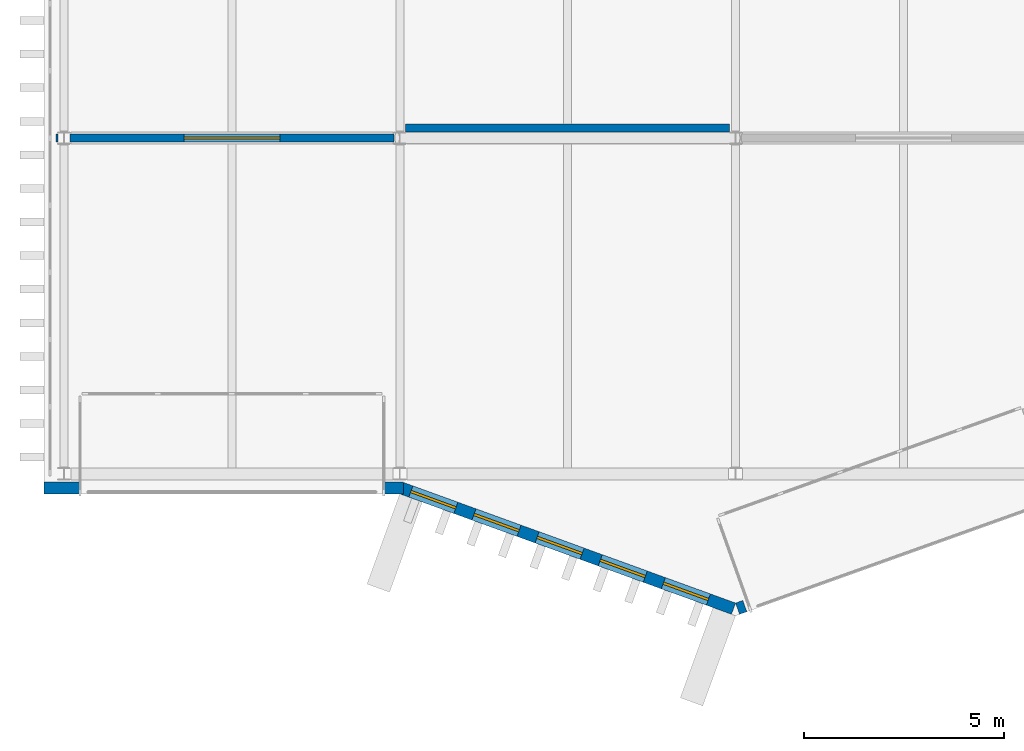
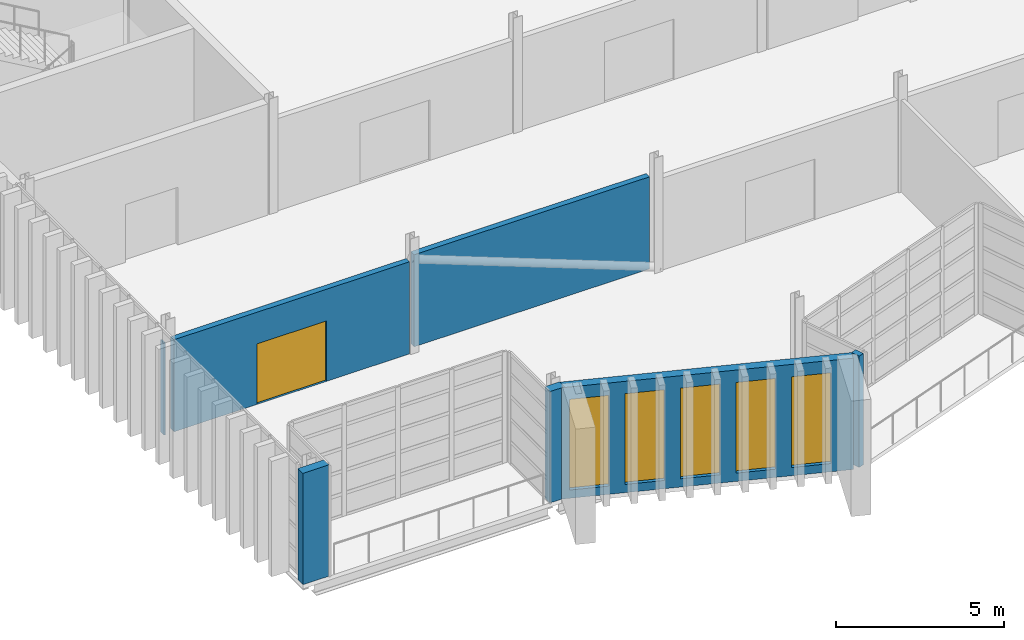
# One storey, part 58 of 100: 7 walls, 5 windows, 1 door, 6 openings.
"""IFC4 building model written with IfcOpenShell, lengths in metres."""

from ifc_helpers import new_model, si_unit, direction, frame, frame_2d, origin, place, context, subcontext, project, spatial, rectangle, extrude, material, layer, layer_set, type_object, element, fill, save


model = new_model("IFC4")

# Units and contexts
model_context = context("Model", 3, precision=1e-05, world=origin(), true_north=direction((0.0, 1.0)))
body_context = subcontext(model_context, "Body", "Model", "MODEL_VIEW")
ifc_project = project(units=[si_unit("LENGTHUNIT", "METRE"), si_unit("AREAUNIT", "SQUARE_METRE"), si_unit("VOLUMEUNIT", "CUBIC_METRE"), si_unit("PLANEANGLEUNIT", "RADIAN"), si_unit("MASSUNIT", "GRAM", prefix="KILO")], contexts=[model_context])

# Site, building, storey
site_placement = place(None, origin())
site = spatial("IfcSite", under=ifc_project, at=site_placement, CompositionType="ELEMENT")
building_placement = place(site_placement, origin())
building = spatial("IfcBuilding", under=site, at=building_placement, Name="Cresset Court Congress Hotel", CompositionType="ELEMENT")
storey_placement = place(building_placement, frame((0.0, 0.0, 10.199951171875)))
storey = spatial("IfcBuildingStorey", under=building, at=storey_placement, Name="L02", CompositionType="ELEMENT", Elevation=10.199951171875)

# Walls
ifc_material_1 = material(Name="Concrete C40", Category="concrete")
ifc_layer_1 = layer(ifc_material_1, 0.300048828125)
ifc_layer_set_1 = layer_set([ifc_layer_1], Name="External wall 300 Concrete C40")
wall_type_1 = type_object("IfcWallType", Name="External wall 300 Concrete C40", PredefinedType="SOLIDWALL", material=ifc_layer_set_1)
wall_1_placement = place(storey_placement, frame((7.89990234375, -0.35009765625, 0.0), z_axis=(0.0, 0.0, 1.0), x_axis=(1.0, 0.0, 0.0)))
element("IfcWall", 1, at=wall_1_placement, inside=storey, type_object=wall_type_1, Name="External wall", PredefinedType="SOLIDWALL", context=body_context, shape_type="SweptSolid", body=[
    extrude(rectangle(XDim=0.900146484375, YDim=0.300048828125, at=frame_2d((0.4501953125, 0.0))), origin(), (0.0, 0.0, 1.0), 4.050048828125),
])
wall_2_placement = place(storey_placement, frame((16.39990234375, -0.35009765625, 0.0), z_axis=(0.0, 0.0, 1.0), x_axis=(1.0, 0.0, 0.0)))
element("IfcWall", 2, at=wall_2_placement, inside=storey, type_object=wall_type_1, Name="External wall", PredefinedType="SOLIDWALL", context=body_context, shape_type="SweptSolid", body=[
    extrude(rectangle(XDim=0.5, YDim=0.300048828125, at=frame_2d((0.25, 0.0))), origin(), (0.0, 0.0, 1.0), 4.050048828125),
])

# Wall, openings, windows
wall_3_placement = place(storey_placement, frame((16.851318359375, -0.35888671875, 0.0), z_axis=(0.0, 0.0, 1.0), x_axis=(0.939953187971, -0.341303390584, 0.0)))
wall_3 = element("IfcWall", 3, at=wall_3_placement, inside=storey, type_object=wall_type_1, Name="External wall", PredefinedType="SOLIDWALL", context=body_context, shape_type="SweptSolid", body=[
    extrude(rectangle(XDim=8.828369140625, YDim=0.300048828125, at=frame_2d((4.4140625, 0.0))), origin(), (0.0, 0.0, 1.0), 4.050048828125),
])
opening_1_placement = place(wall_3_placement, frame((0.239990234375, 0.0, 0.300048828125)))
opening_1 = element("IfcOpeningElement", 4, at=opening_1_placement, cuts=wall_3, Name="Opening NB-02-14", PredefinedType="OPENING", context=body_context, shape_type="SweptSolid", body=[
    extrude(rectangle(XDim=1.199951171875, YDim=3.300048828125, at=frame_2d((0.60009765625, 1.64990234375))), frame((0.0, 0.159912109375, 0.0), z_axis=(0.0, -1.0, 0.0), x_axis=(1.0, 0.0, 0.0)), (0.0, 0.0, 1.0), 0.320068359375),
])
opening_2_placement = place(wall_3_placement, frame((1.919921875, 0.0, 0.300048828125)))
opening_2 = element("IfcOpeningElement", 5, at=opening_2_placement, cuts=wall_3, Name="Opening NB-02-15", PredefinedType="OPENING", context=body_context, shape_type="SweptSolid", body=[
    extrude(rectangle(XDim=1.199951171875, YDim=3.300048828125, at=frame_2d((0.60009765625, 1.64990234375))), frame((0.0, 0.159912109375, 0.0), z_axis=(0.0, -1.0, 0.0), x_axis=(1.0, 0.0, 0.0)), (0.0, 0.0, 1.0), 0.320068359375),
])
opening_3_placement = place(wall_3_placement, frame((3.60009765625, 0.0, 0.300048828125)))
opening_3 = element("IfcOpeningElement", 6, at=opening_3_placement, cuts=wall_3, Name="Opening NB-02-16", PredefinedType="OPENING", context=body_context, shape_type="SweptSolid", body=[
    extrude(rectangle(XDim=1.199951171875, YDim=3.300048828125, at=frame_2d((0.60009765625, 1.64990234375))), frame((0.0, 0.159912109375, 0.0), z_axis=(0.0, -1.0, 0.0), x_axis=(1.0, 0.0, 0.0)), (0.0, 0.0, 1.0), 0.320068359375),
])
opening_4_placement = place(wall_3_placement, frame((5.280029296875, 0.0, 0.300048828125)))
opening_4 = element("IfcOpeningElement", 7, at=opening_4_placement, cuts=wall_3, Name="Opening NB-02-17", PredefinedType="OPENING", context=body_context, shape_type="SweptSolid", body=[
    extrude(rectangle(XDim=1.199951171875, YDim=3.300048828125, at=frame_2d((0.60009765625, 1.64990234375))), frame((0.0, 0.159912109375, 0.0), z_axis=(0.0, -1.0, 0.0), x_axis=(1.0, 0.0, 0.0)), (0.0, 0.0, 1.0), 0.320068359375),
])
opening_5_placement = place(wall_3_placement, frame((6.9599609375, 0.0, 0.300048828125)))
opening_5 = element("IfcOpeningElement", 8, at=opening_5_placement, cuts=wall_3, Name="Opening NB-02-18", PredefinedType="OPENING", context=body_context, shape_type="SweptSolid", body=[
    extrude(rectangle(XDim=1.199951171875, YDim=3.300048828125, at=frame_2d((0.60009765625, 1.64990234375))), frame((0.0, 0.159912109375, 0.0), z_axis=(0.0, -1.0, 0.0), x_axis=(1.0, 0.0, 0.0)), (0.0, 0.0, 1.0), 0.320068359375),
])
ifc_material_2 = material(Name="Aluminium frame with double glazing", Category="aluminium")
window_type = type_object("IfcWindowType", Name="Window 1200x3300", PartitioningType="TRIPLE_PANEL_VERTICAL", PredefinedType="WINDOW", material=ifc_material_2)
window_1_placement = place(opening_1_placement, origin())
window_1 = element("IfcWindow", 9, at=window_1_placement, inside=storey, type_object=window_type, Name="Window NB-02-14", OverallHeight=3.300048828125, OverallWidth=1.199951171875, PartitioningType="TRIPLE_PANEL_VERTICAL", PredefinedType="WINDOW", context=body_context, shape_type="SweptSolid", body=[
    extrude(rectangle(XDim=1.199951171875, YDim=3.300048828125, at=frame_2d((0.60009765625, 1.64990234375))), frame((0.0, 0.030029296875, 0.0), z_axis=(0.0, -1.0, 0.0), x_axis=(1.0, 0.0, 0.0)), (0.0, 0.0, 1.0), 0.06005859375),
])
fill(opening_1, window_1)
window_2_placement = place(opening_2_placement, origin())
window_2 = element("IfcWindow", 10, at=window_2_placement, inside=storey, type_object=window_type, Name="Window NB-02-15", OverallHeight=3.300048828125, OverallWidth=1.199951171875, PartitioningType="TRIPLE_PANEL_VERTICAL", PredefinedType="WINDOW", context=body_context, shape_type="SweptSolid", body=[
    extrude(rectangle(XDim=1.199951171875, YDim=3.300048828125, at=frame_2d((0.60009765625, 1.64990234375))), frame((0.0, 0.030029296875, 0.0), z_axis=(0.0, -1.0, 0.0), x_axis=(1.0, 0.0, 0.0)), (0.0, 0.0, 1.0), 0.06005859375),
])
fill(opening_2, window_2)
window_3_placement = place(opening_3_placement, origin())
window_3 = element("IfcWindow", 11, at=window_3_placement, inside=storey, type_object=window_type, Name="Window NB-02-16", OverallHeight=3.300048828125, OverallWidth=1.199951171875, PartitioningType="TRIPLE_PANEL_VERTICAL", PredefinedType="WINDOW", context=body_context, shape_type="SweptSolid", body=[
    extrude(rectangle(XDim=1.199951171875, YDim=3.300048828125, at=frame_2d((0.60009765625, 1.64990234375))), frame((0.0, 0.030029296875, 0.0), z_axis=(0.0, -1.0, 0.0), x_axis=(1.0, 0.0, 0.0)), (0.0, 0.0, 1.0), 0.06005859375),
])
fill(opening_3, window_3)
window_4_placement = place(opening_4_placement, origin())
window_4 = element("IfcWindow", 12, at=window_4_placement, inside=storey, type_object=window_type, Name="Window NB-02-17", OverallHeight=3.300048828125, OverallWidth=1.199951171875, PartitioningType="TRIPLE_PANEL_VERTICAL", PredefinedType="WINDOW", context=body_context, shape_type="SweptSolid", body=[
    extrude(rectangle(XDim=1.199951171875, YDim=3.300048828125, at=frame_2d((0.60009765625, 1.64990234375))), frame((0.0, 0.030029296875, 0.0), z_axis=(0.0, -1.0, 0.0), x_axis=(1.0, 0.0, 0.0)), (0.0, 0.0, 1.0), 0.06005859375),
])
fill(opening_4, window_4)
window_5_placement = place(opening_5_placement, origin())
window_5 = element("IfcWindow", 13, at=window_5_placement, inside=storey, type_object=window_type, Name="Window NB-02-18", OverallHeight=3.300048828125, OverallWidth=1.199951171875, PartitioningType="TRIPLE_PANEL_VERTICAL", PredefinedType="WINDOW", context=body_context, shape_type="SweptSolid", body=[
    extrude(rectangle(XDim=1.199951171875, YDim=3.300048828125, at=frame_2d((0.60009765625, 1.64990234375))), frame((0.0, 0.030029296875, 0.0), z_axis=(0.0, -1.0, 0.0), x_axis=(1.0, 0.0, 0.0)), (0.0, 0.0, 1.0), 0.06005859375),
])
fill(opening_5, window_5)

# Walls
wall_4_placement = place(storey_placement, frame((25.251220703125, -3.372314453125, 0.0), z_axis=(0.0, 0.0, 1.0), x_axis=(0.942000485661, 0.335611509061, 0.0)))
element("IfcWall", 14, at=wall_4_placement, inside=storey, type_object=wall_type_1, Name="External wall", PredefinedType="SOLIDWALL", context=body_context, shape_type="SweptSolid", body=[
    extrude(rectangle(XDim=0.192138671875, YDim=0.300048828125, at=frame_2d((0.09619140625, 0.0))), origin(), (0.0, 0.0, 1.0), 4.050048828125),
])
ifc_material_3 = material(Name="Gypsum board on steel studs", Category="steel")
ifc_layer_2 = layer(ifc_material_3, 0.199951171875)
ifc_layer_set_2 = layer_set([ifc_layer_2], Name="Foyer wall 200")
wall_type_2 = type_object("IfcWallType", Name="Foyer wall 200", PredefinedType="PARTITIONING", material=ifc_layer_set_2)
wall_5_placement = place(storey_placement, frame((8.199951171875, 8.39990234375, 0.0), z_axis=(0.0, 0.0, 1.0), x_axis=(1.0, 0.0, 0.0)))
element("IfcWall", 15, at=wall_5_placement, inside=storey, type_object=wall_type_2, Name="Foyer wall", PredefinedType="PARTITIONING", context=body_context, shape_type="SweptSolid", body=[
    extrude(rectangle(XDim=0.050048828125, YDim=0.199951171875, at=frame_2d((0.02490234375, 0.0))), origin(), (0.0, 0.0, 1.0), 3.35009765625),
])

# Wall, opening, door
wall_6_placement = place(storey_placement, frame((8.550048828125, 8.39990234375, 0.0), z_axis=(0.0, 0.0, 1.0), x_axis=(1.0, 0.0, 0.0)))
wall_6 = element("IfcWall", 16, at=wall_6_placement, inside=storey, type_object=wall_type_2, Name="Foyer wall", PredefinedType="PARTITIONING", context=body_context, shape_type="SweptSolid", body=[
    extrude(rectangle(XDim=8.099853515625, YDim=0.199951171875, at=frame_2d((4.0498046875, 0.0))), origin(), (0.0, 0.0, 1.0), 3.35009765625),
])
opening_6_placement = place(wall_6_placement, frame((2.85009765625, 0.0, 0.0)))
opening_6 = element("IfcOpeningElement", 17, at=opening_6_placement, cuts=wall_6, Name="Opening DB-02-01", PredefinedType="OPENING", context=body_context, shape_type="SweptSolid", body=[
    extrude(rectangle(XDim=2.39990234375, YDim=2.199951171875, at=frame_2d((1.199951171875, 1.10009765625))), frame((0.0, 0.10986328125, 0.0), z_axis=(0.0, -1.0, 0.0), x_axis=(1.0, 0.0, 0.0)), (0.0, 0.0, 1.0), 0.219970703125),
])
ifc_material_4 = material(Name="Timber and steel frame", Category="steel")
door_type = type_object("IfcDoorType", Name="Fire door FD30 double 2400x2200", OperationType="DOUBLE_DOOR_SINGLE_SWING", PredefinedType="DOOR", material=ifc_material_4)
door_placement = place(opening_6_placement, origin())
door = element("IfcDoor", 18, at=door_placement, inside=storey, type_object=door_type, Name="Meeting Room door", OperationType="DOUBLE_DOOR_SINGLE_SWING", OverallHeight=2.199951171875, OverallWidth=2.39990234375, PredefinedType="DOOR", context=body_context, shape_type="SweptSolid", body=[
    extrude(rectangle(XDim=2.39990234375, YDim=2.199951171875, at=frame_2d((1.199951171875, 1.10009765625))), frame((0.0, 0.02490234375, 0.0), z_axis=(0.0, -1.0, 0.0), x_axis=(1.0, 0.0, 0.0)), (0.0, 0.0, 1.0), 0.050048828125),
])
fill(opening_6, door)

# Wall
wall_7_placement = place(storey_placement, frame((16.949951171875, 8.646484375, 0.0), z_axis=(0.0, 0.0, 1.0), x_axis=(1.0, 0.0, 0.0)))
element("IfcWall", 19, at=wall_7_placement, inside=storey, type_object=wall_type_2, Name="Foyer wall", PredefinedType="PARTITIONING", context=body_context, shape_type="SweptSolid", body=[
    extrude(rectangle(XDim=8.10009765625, YDim=0.199951171875, at=frame_2d((4.050048828125, 0.0))), origin(), (0.0, 0.0, 1.0), 3.35009765625),
])

save(model, "model.ifc")
